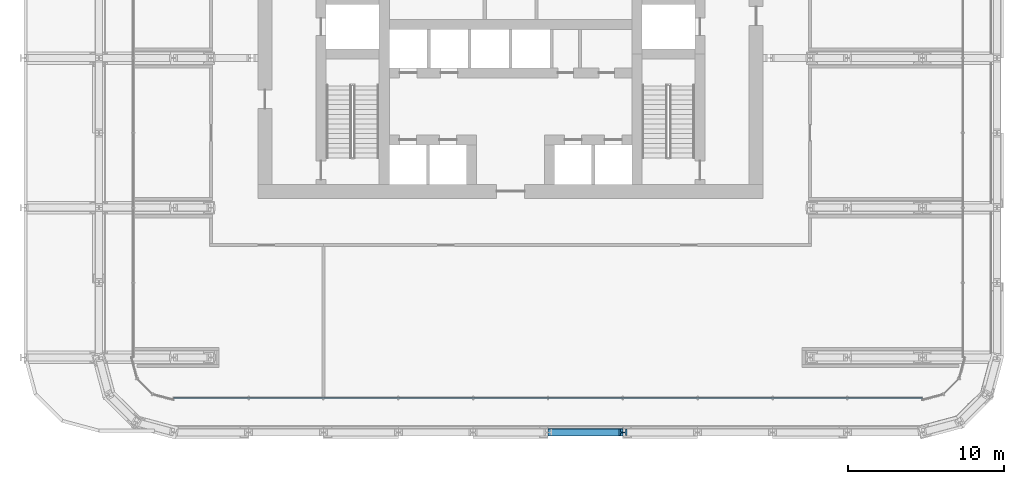
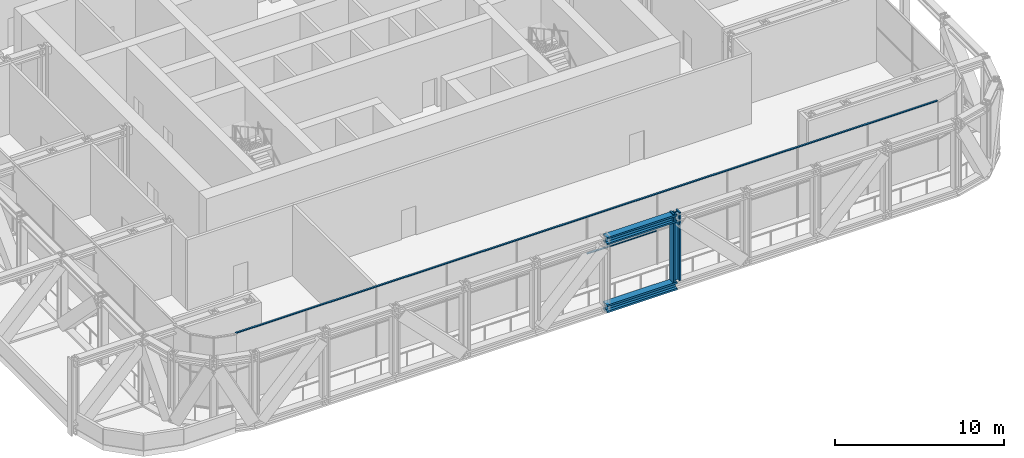
# One storey, part 7 of 30: 5 members, 1 element without a shape of its own.
"""IFC4 building model written with IfcOpenShell, lengths in metres."""

from ifc_helpers import new_model, si_unit, direction, frame, origin, origin_2d, place, context, subcontext, project, spatial, rectangle, i_section, extrude, material, layer, layer_set, material_profile, profile_set, type_object, element, aggregate, save


model = new_model("IFC4")

# Units and contexts
model_context = context("Model", 3, precision=1e-05, world=origin(), true_north=direction((0.0, 1.0)))
body_context = subcontext(model_context, "Body", "Model", "MODEL_VIEW")
ifc_project = project(units=[si_unit("LENGTHUNIT", "METRE"), si_unit("AREAUNIT", "SQUARE_METRE"), si_unit("VOLUMEUNIT", "CUBIC_METRE"), si_unit("PLANEANGLEUNIT", "RADIAN"), si_unit("MASSUNIT", "GRAM", prefix="KILO")], contexts=[model_context])

# Site, building, storey
site_placement = place(None, origin())
site = spatial("IfcSite", under=ifc_project, at=site_placement, CompositionType="ELEMENT")
building_placement = place(site_placement, origin())
building = spatial("IfcBuilding", under=site, at=building_placement, Name="Madar Terraces", CompositionType="ELEMENT")
storey_placement = place(building_placement, frame((0.0, 0.0, 53.89990234375)))
storey = spatial("IfcBuildingStorey", under=building, at=storey_placement, Name="L13", CompositionType="ELEMENT", Elevation=53.89990234375)

# Member
ifc_material_1 = material(Name="Steel ASTM A913 Grade 65", Category="steel")
ifc_material_profile_1 = material_profile(ifc_material_1, i_section(OverallWidth=0.472412109375, OverallDepth=0.5791015625, WebThickness=0.094970703125, FlangeThickness=0.130126953125, at=origin_2d()), Name="W14x808")
ifc_profile_set_1 = profile_set([ifc_material_profile_1], Name="Steel ASTM A913 Grade 65")
member_type_1 = type_object("IfcMemberType", Name="BC2 W14x808", PredefinedType="CHORD", material=ifc_profile_set_1)
member_1_placement = place(storey_placement, frame((33.60009765625, 0.0, -0.13037109375), z_axis=(1.0, 0.0, 0.0), x_axis=(0.0, 1.0, 0.0)))
element("IfcMember", 1, at=member_1_placement, inside=storey, type_object=member_type_1, Name="Exoskeleton truss ring bottom chord BC2", PredefinedType="CHORD", context=body_context, shape_type="SweptSolid", body=[
    extrude(i_section(OverallWidth=0.472412109375, OverallDepth=0.5791015625, WebThickness=0.094970703125, FlangeThickness=0.130126953125, at=origin_2d()), origin(), (0.0, 0.0, 1.0), 4.7998046875),
])

# Curtain wall, members
ifc_material_2 = material(Name="Glass, ceramic frit dark grey, with black aluminium frame", Category="aluminium")
ifc_layer = layer(ifc_material_2, 0.199951171875)
ifc_layer_set = layer_set([ifc_layer], Name="Facade curtain wall, tall glazing")
curtain_wall_type = type_object("IfcCurtainWallType", Name="Facade curtain wall, tall glazing", PredefinedType="NOTDEFINED", material=ifc_layer_set)
curtain_wall_placement = place(storey_placement, origin())
curtain_wall = element("IfcCurtainWall", 2, at=curtain_wall_placement, inside=storey, type_object=curtain_wall_type, Name="Outer skin curtain wall south bay 1", PredefinedType="NOTDEFINED")
ifc_material_3 = material(Name="Aluminium, black anodised", Category="aluminium")
ifc_material_profile_2 = material_profile(ifc_material_3, rectangle(XDim=0.1201171875, YDim=0.06005859375, at=origin_2d()), Name="Facade transom 60x120")
ifc_profile_set_2 = profile_set([ifc_material_profile_2], Name="Aluminium, black anodised")
member_type_2 = type_object("IfcMemberType", Name="Facade transom 60x120", PredefinedType="USERDEFINED", material=ifc_profile_set_2)
member_2_placement = place(storey_placement, frame((9.60009765625, 2.199951171875, 5.070068359375), z_axis=(1.0, 0.0, 0.0), x_axis=(0.0, 1.0, 0.0)))
member_2 = element("IfcMember", 3, at=member_2_placement, type_object=member_type_2, Name="Transom 1", ObjectType="TRANSOM", PredefinedType="USERDEFINED", context=body_context, shape_type="SweptSolid", body=[
    extrude(rectangle(XDim=0.1201171875, YDim=0.06005859375, at=origin_2d()), origin(), (0.0, 0.0, 1.0), 48.0),
])
member_3_placement = place(storey_placement, frame((33.6298828125, 2.199951171875, 2.400146484375), z_axis=(1.0, 0.0, 0.0), x_axis=(0.0, 1.0, 0.0)))
member_3 = element("IfcMember", 4, at=member_3_placement, type_object=member_type_2, Name="Transom 7", ObjectType="TRANSOM", PredefinedType="USERDEFINED", context=body_context, shape_type="SweptSolid", body=[
    extrude(rectangle(XDim=0.1201171875, YDim=0.06005859375, at=origin_2d()), origin(), (0.0, 0.0, 1.0), 4.740234375),
])
aggregate(curtain_wall, [member_2, member_3])

# Members
ifc_material_4 = material(Name="Steel ASTM A913 Grade 65", Category="steel")
ifc_material_profile_3 = material_profile(ifc_material_4, i_section(OverallWidth=0.449462890625, OverallDepth=0.548583984375, WebThickness=0.07177734375, FlangeThickness=0.11474609375, at=origin_2d()), Name="W14x665")
ifc_profile_set_3 = profile_set([ifc_material_profile_3], Name="Steel ASTM A913 Grade 65")
member_type_3 = type_object("IfcMemberType", Name="TC2 W14x665", PredefinedType="CHORD", material=ifc_profile_set_3)
member_4_placement = place(storey_placement, frame((33.60009765625, 0.0, 4.755859375), z_axis=(1.0, 0.0, 0.0), x_axis=(0.0, 1.0, 0.0)))
element("IfcMember", 5, at=member_4_placement, inside=storey, type_object=member_type_3, Name="Exoskeleton truss ring top chord TC2", PredefinedType="CHORD", context=body_context, shape_type="SweptSolid", body=[
    extrude(i_section(OverallWidth=0.449462890625, OverallDepth=0.548583984375, WebThickness=0.07177734375, FlangeThickness=0.11474609375, at=origin_2d()), origin(), (0.0, 0.0, 1.0), 4.7998046875),
])
ifc_material_5 = material(Name="Steel ASTM A913 Grade 65", Category="steel")
ifc_material_profile_4 = material_profile(ifc_material_5, i_section(OverallWidth=0.436767578125, OverallDepth=0.51318359375, WebThickness=0.060546875, FlangeThickness=0.096923828125, at=origin_2d()), Name="W14x550")
ifc_profile_set_4 = profile_set([ifc_material_profile_4], Name="Steel ASTM A913 Grade 65")
member_type_4 = type_object("IfcMemberType", Name="TV2 W14x550", PredefinedType="POST", material=ifc_profile_set_4)
member_5_placement = place(storey_placement, frame((38.39990234375, 0.0, 0.1591796875), z_axis=(0.0, 0.0, 1.0), x_axis=(0.0, 1.0, 0.0)))
element("IfcMember", 6, at=member_5_placement, inside=storey, type_object=member_type_4, Name="Exoskeleton truss ring post TV2", PredefinedType="POST", context=body_context, shape_type="SweptSolid", body=[
    extrude(i_section(OverallWidth=0.436767578125, OverallDepth=0.51318359375, WebThickness=0.060546875, FlangeThickness=0.096923828125, at=origin_2d()), origin(), (0.0, 0.0, 1.0), 4.94091796875),
])

save(model, "model.ifc")
